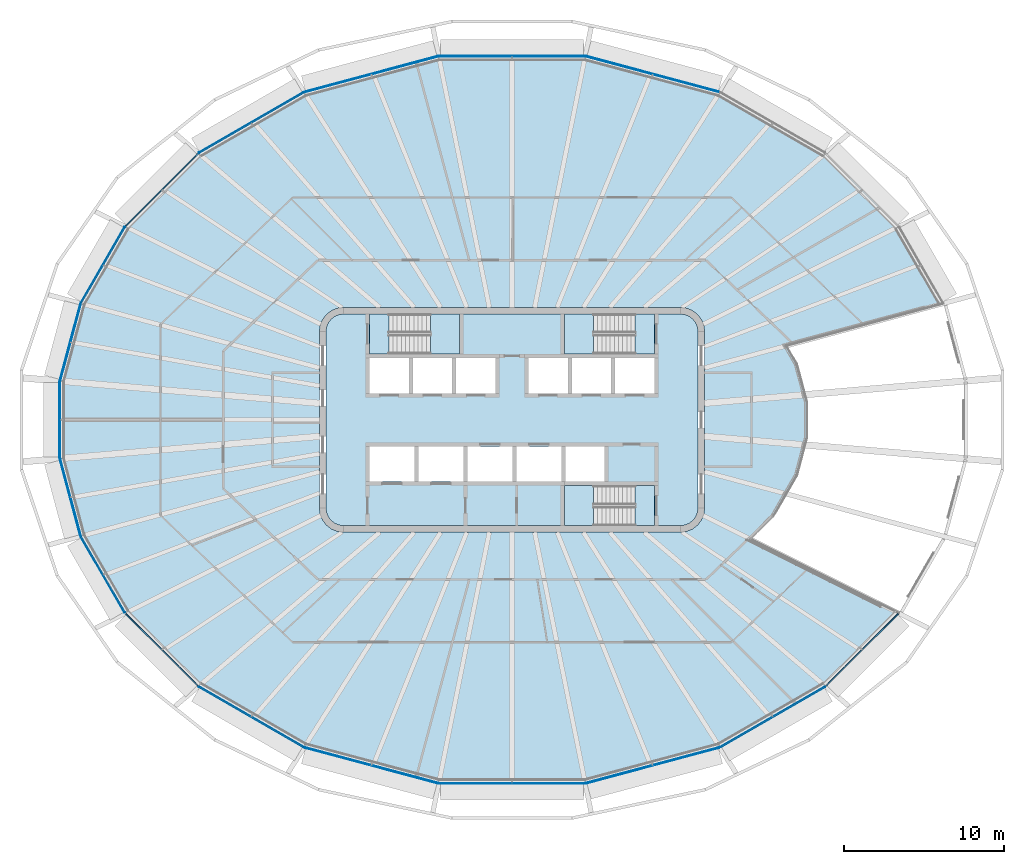
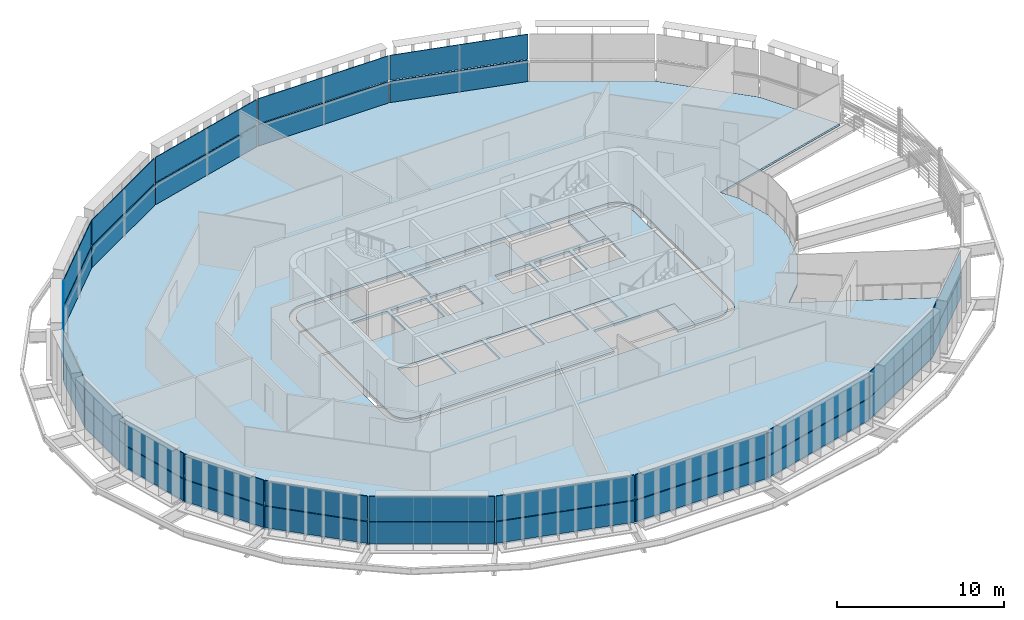
# One storey, part 7 of 17: 34 plates, 8 slabs, 20 elements without a shape of their own.
"""IFC4 building model written with IfcOpenShell, lengths in metres."""

import ifcopenshell
import ifcopenshell.guid

model = None  # the IFC model being written
_history = None  # IfcOwnerHistory: only IFC2X3 demands one
_inside = {}  # id of a spatial element -> (the spatial element, [elements in it])
_under = {}  # id of a project, library or spatial element -> (it, [spatial elements below it])
_declared = {}  # id of a project -> (the project, [libraries it declares])
_typed = {}  # id of a type object -> (the type object, [elements of that type])
_made_of = {}  # id of a material, layer set ... -> (it, [elements and type objects made of it])


def new_model(schema):
    """Start an empty IFC model of exactly this schema.

    Asked for "IFC4X3", IfcOpenShell would pick the latest addendum, in which some entities
    have other attributes; the version numbers below select the first issue.
    IFC2X3 requires an IfcOwnerHistory on every rooted entity: one is made here for all.
    """
    global model, _history
    if schema == "IFC4X3":
        model = ifcopenshell.file(schema_version=(4, 3, 0, 0))
    else:
        model = ifcopenshell.file(schema=schema)
    _inside.clear()
    _under.clear()
    _declared.clear()
    _typed.clear()
    _made_of.clear()
    _history = None
    if model.schema == "IFC2X3":
        org = make("IfcOrganization", Name="unknown")
        user = make(
            "IfcPersonAndOrganization",
            ThePerson=make("IfcPerson", FamilyName="unknown"),
            TheOrganization=org,
        )
        app = make(
            "IfcApplication",
            ApplicationDeveloper=org,
            Version="unknown",
            ApplicationFullName="unknown",
            ApplicationIdentifier="unknown",
        )
        _history = make(
            "IfcOwnerHistory",
            OwningUser=user,
            OwningApplication=app,
            ChangeAction="ADDED",
            CreationDate=0,
        )
    return model


def make(cls, **values):
    """One entity of the class cls with the attributes given. An attribute that is None is left unset."""
    return model.create_entity(
        cls, **{name: value for name, value in values.items() if value is not None}
    )


def rooted(cls, **values):
    """An entity with a GlobalId (a new one), such as an element, a storey or a relation."""
    return make(cls, GlobalId=ifcopenshell.guid.new(), OwnerHistory=_history, **values)


def si_unit(unit_type, name, prefix=None):
    """IfcSIUnit, for example si_unit("LENGTHUNIT", "METRE", prefix="MILLI")."""
    return make("IfcSIUnit", UnitType=unit_type, Prefix=prefix, Name=name)


def assignment(units):
    """IfcUnitAssignment: the units of a project."""
    return None if units is None else make("IfcUnitAssignment", Units=units)


def point(xyz):
    """IfcCartesianPoint."""
    return None if xyz is None else make("IfcCartesianPoint", Coordinates=xyz)


def direction(xyz):
    """IfcDirection."""
    return None if xyz is None else make("IfcDirection", DirectionRatios=xyz)


def frame(location, z_axis=None, x_axis=None):
    """IfcAxis2Placement3D, a coordinate frame: its origin and axes. An axis left out is left unset."""
    return make(
        "IfcAxis2Placement3D",
        Location=point(location),
        Axis=direction(z_axis),
        RefDirection=direction(x_axis),
    )


def origin():
    """The frame at (0, 0, 0) with its axes left unset."""
    return frame((0.0, 0.0, 0.0))


def place(relative_to, where):
    """IfcLocalPlacement: puts the frame where relative to a parent placement (None: the world)."""
    return make(
        "IfcLocalPlacement", PlacementRelTo=relative_to, RelativePlacement=where
    )


def context(
    kind, dimensions, precision=None, world=None, true_north=None, identifier=None
):
    """IfcGeometricRepresentationContext, for example the 3D "Model" context."""
    return make(
        "IfcGeometricRepresentationContext",
        ContextIdentifier=identifier,
        ContextType=kind,
        CoordinateSpaceDimension=dimensions,
        Precision=precision,
        WorldCoordinateSystem=world,
        TrueNorth=true_north,
    )


def subcontext(parent, identifier, kind, view, scale=None):
    """IfcGeometricRepresentationSubContext, for example "Body" below "Model"."""
    return make(
        "IfcGeometricRepresentationSubContext",
        ContextIdentifier=identifier,
        ContextType=kind,
        ParentContext=parent,
        TargetScale=scale,
        TargetView=view,
    )


def project(units=None, contexts=None):
    """IfcProject with its units and contexts."""
    return rooted(
        "IfcProject",
        Name="project",
        RepresentationContexts=contexts,
        UnitsInContext=assignment(units),
    )


def spatial(cls, under=None, at=None, **own):
    """A site, building, storey or space (cls), placed at a placement, below another one or the project."""
    s = rooted(cls, ObjectPlacement=at, **own)
    if under is not None:
        _under.setdefault(under.id(), (under, []))[1].append(s)
    return s


def polyline(points):
    """IfcPolyline through the points."""
    return make("IfcPolyline", Points=[point(p) for p in points])


def outline(outer, holes=None, kind="AREA"):
    """IfcArbitraryClosedProfileDef: a profile drawn as a closed curve; with holes, ...WithVoids."""
    if holes is None:
        return make("IfcArbitraryClosedProfileDef", ProfileType=kind, OuterCurve=outer)
    return make(
        "IfcArbitraryProfileDefWithVoids",
        ProfileType=kind,
        OuterCurve=outer,
        InnerCurves=holes,
    )


def extrude(swept, where, along, depth):
    """IfcExtrudedAreaSolid: the profile swept, set in the frame where, extruded along a direction by depth."""
    return make(
        "IfcExtrudedAreaSolid",
        SweptArea=swept,
        Position=where,
        ExtrudedDirection=direction(along),
        Depth=depth,
    )


def shape(context_of_items, identifier, shape_type, items):
    """IfcShapeRepresentation: the items that make up one representation, for example the "Body"."""
    return make(
        "IfcShapeRepresentation",
        ContextOfItems=context_of_items,
        RepresentationIdentifier=identifier,
        RepresentationType=shape_type,
        Items=items,
    )


def material(Name=None, Category=None):
    """IfcMaterial."""
    return make("IfcMaterial", Name=Name, Category=Category)


def layer(
    of_material, thickness, ventilated=None, Name=None, Category=None, Priority=None
):
    """IfcMaterialLayer: one layer of a wall or slab, of a material (None: an air gap)."""
    return make(
        "IfcMaterialLayer",
        Material=of_material,
        LayerThickness=thickness,
        IsVentilated=ventilated,
        Name=Name,
        Category=Category,
        Priority=Priority,
    )


def layer_set(layers, Name=None):
    """IfcMaterialLayerSet."""
    return make("IfcMaterialLayerSet", MaterialLayers=layers, LayerSetName=Name)


def made_of(thing, what):
    """Note that an element or type object is made of a material, layer set ...; save() writes the relation."""
    if what is not None:
        _made_of.setdefault(what.id(), (what, []))[1].append(thing)
    return thing


def type_object(cls, material=None, **own):
    """A type object (cls), such as IfcWallType, which elements share."""
    return made_of(rooted(cls, **own), material)


def element(
    cls,
    number,
    at=None,
    inside=None,
    cuts=None,
    type_object=None,
    material=None,
    context=None,
    identifier="Body",
    shape_type=None,
    held_by="IfcProductDefinitionShape",
    body=None,
    shapes=None,
    **own,
):
    """One element of the class cls, such as IfcWall. Its Tag is "e" and its number.

    at: its placement. inside: the storey or other place that contains it. cuts: it is an
    opening in that element (IfcRelVoidsElement). A single representation is given by context,
    identifier, shape_type and body (its items); several are given by shapes. held_by: the class
    of the entity that holds the representations. save() writes the other relations.
    """
    e = rooted(cls, Tag="e%d" % number, ObjectPlacement=at, **own)
    if body is not None:
        shapes = [shape(context, identifier, shape_type, body)]
    if shapes is not None:
        e.Representation = make(held_by, Representations=shapes)
    if inside is not None:
        _inside.setdefault(inside.id(), (inside, []))[1].append(e)
    if cuts is not None:
        rooted(
            "IfcRelVoidsElement", RelatingBuildingElement=cuts, RelatedOpeningElement=e
        )
    if type_object is not None:
        _typed.setdefault(type_object.id(), (type_object, []))[1].append(e)
    return made_of(e, material)


def aggregate(whole, parts):
    """IfcRelAggregates: a whole, such as a stair, and the parts it consists of."""
    return rooted("IfcRelAggregates", RelatingObject=whole, RelatedObjects=parts)


def save(model, path):
    """Write the relations noted so far, then the file.

    IfcRelAggregates (storeys below a building ...), IfcRelContainedInSpatialStructure (elements
    in a storey), IfcRelDefinesByType, IfcRelAssociatesMaterial and IfcRelDeclares: one each for
    every whole, place, type object, material and project.
    """
    for whole, parts in _under.values():
        aggregate(whole, parts)
    for where, things in _inside.values():
        rooted(
            "IfcRelContainedInSpatialStructure",
            RelatedElements=things,
            RelatingStructure=where,
        )
    for kind, things in _typed.values():
        rooted("IfcRelDefinesByType", RelatedObjects=things, RelatingType=kind)
    for what, things in _made_of.values():
        rooted("IfcRelAssociatesMaterial", RelatedObjects=things, RelatingMaterial=what)
    for by, libraries in _declared.values():
        rooted("IfcRelDeclares", RelatingContext=by, RelatedDefinitions=libraries)
    model.write(path)


model = new_model("IFC4")

# Units and contexts
model_context = context("Model", 3, precision=1e-05, world=origin(), true_north=direction((0.0, 1.0)))
body_context = subcontext(model_context, "Body", "Model", "MODEL_VIEW")
ifc_project = project(units=[si_unit("LENGTHUNIT", "METRE"), si_unit("AREAUNIT", "SQUARE_METRE"), si_unit("VOLUMEUNIT", "CUBIC_METRE"), si_unit("PLANEANGLEUNIT", "RADIAN"), si_unit("MASSUNIT", "GRAM", prefix="KILO")], contexts=[model_context])

# Site, building, storey
site_placement = place(None, origin())
site = spatial("IfcSite", under=ifc_project, at=site_placement, CompositionType="ELEMENT")
building_placement = place(site_placement, origin())
building = spatial("IfcBuilding", under=site, at=building_placement, Name="Sahrelin Media Tower", CompositionType="ELEMENT")
storey_placement = place(building_placement, frame((0.0, 0.0, 291.0)))
storey = spatial("IfcBuildingStorey", under=building, at=storey_placement, Name="L64", CompositionType="ELEMENT", Elevation=291.0)

# Slabs
ifc_material_1 = material(Name="Concrete C40/50", Category="concrete")
ifc_layer_1 = layer(ifc_material_1, 0.14990234375)
ifc_layer_set_1 = layer_set([ifc_layer_1], Name="Composite floor slab 150")
slab_type_1 = type_object("IfcSlabType", Name="Composite floor slab 150", PredefinedType="FLOOR", material=ifc_layer_set_1)
placement_1 = place(storey_placement, frame((0.0, 0.0, -0.14990234375)))
element("IfcSlab", 1, at=placement_1, inside=storey, type_object=slab_type_1, Name="Floor slab L64", PredefinedType="FLOOR", context=body_context, shape_type="SweptSolid", body=[
    extrude(outline(polyline([(19.53662109375, -16.603515625), (24.0908203125, -12.04931640625), (14.871337890625, -7.43798828125), (16.267822265625, -6.04150390625), (17.751708984375, -3.4716796875), (18.380126953125, -1.1259765625), (18.380126953125, 1.1259765625), (17.751708984375, 3.4716796875), (17.093017578125, 4.6123046875), (26.86376953125, 7.248779296875), (24.09375, 12.04638671875), (19.53662109375, 16.603515625), (12.9501953125, 20.40625), (4.56640625, 22.652587890625), (-4.56640625, 22.652587890625), (-12.9501953125, 20.40625), (-19.53662109375, 16.603515625), (-24.09375, 12.04638671875), (-26.864990234375, 7.24658203125), (-28.16015625, 2.41357421875), (-28.16015625, -2.41357421875), (-26.864990234375, -7.24658203125), (-24.09375, -12.04638671875), (-19.53662109375, -16.603515625), (-12.9501953125, -20.40625), (-4.56640625, -22.652587890625), (4.56640625, -22.652587890625), (12.9501953125, -20.40625), (19.53662109375, -16.603515625)]), holes=[polyline([(11.799072265625, 6.25), (11.948974609375, 5.88818359375), (12.0, 5.5), (12.0, -5.5), (11.948974609375, -5.88818359375), (11.799072265625, -6.25), (11.560791015625, -6.560791015625), (11.25, -6.799072265625), (10.88818359375, -6.948974609375), (10.5, -7.0), (-10.5, -7.0), (-10.88818359375, -6.948974609375), (-11.25, -6.799072265625), (-11.560791015625, -6.560791015625), (-11.799072265625, -6.25), (-11.948974609375, -5.88818359375), (-12.0, -5.5), (-12.0, 5.5), (-11.948974609375, 5.88818359375), (-11.799072265625, 6.25), (-11.560791015625, 6.560791015625), (-11.25, 6.799072265625), (-10.88818359375, 6.948974609375), (-10.5, 7.0), (10.5, 7.0), (10.88818359375, 6.948974609375), (11.25, 6.799072265625), (11.560791015625, 6.560791015625), (11.799072265625, 6.25)])]), origin(), (0.0, 0.0, 1.0), 0.14990234375),
])
ifc_layer_2 = layer(ifc_material_1, 0.14990234375)
ifc_layer_set_2 = layer_set([ifc_layer_2], Name="Core floor slab 150")
slab_type_2 = type_object("IfcSlabType", Name="Core floor slab 150", PredefinedType="FLOOR", material=ifc_layer_set_2)
element("IfcSlab", 2, at=placement_1, inside=storey, type_object=slab_type_2, Name="Core floor", PredefinedType="FLOOR", context=body_context, shape_type="SweptSolid", body=[
    extrude(outline(polyline([(-11.60009765625, -5.473876953125), (-11.55908203125, -5.78369140625), (-11.44970703125, -6.04833984375), (-11.275390625, -6.275390625), (-11.04833984375, -6.44970703125), (-10.78369140625, -6.55908203125), (-10.473876953125, -6.60009765625), (3.27490234375, -6.60009765625), (3.27490234375, -4.10009765625), (8.875, -4.10009765625), (8.875, -6.60009765625), (10.473876953125, -6.60009765625), (10.78369140625, -6.55908203125), (11.04833984375, -6.44970703125), (11.275390625, -6.275390625), (11.44970703125, -6.04833984375), (11.55908203125, -5.78369140625), (11.60009765625, -5.473876953125), (11.60009765625, 5.473876953125), (11.55908203125, 5.78369140625), (11.44970703125, 6.04833984375), (11.275390625, 6.275390625), (11.04833984375, 6.44970703125), (10.78369140625, 6.55908203125), (10.473876953125, 6.60009765625), (8.875, 6.60009765625), (8.875, 4.10009765625), (3.27490234375, 4.10009765625), (3.27490234375, 6.60009765625), (-3.27490234375, 6.60009765625), (-3.27490234375, 4.10009765625), (-8.875, 4.10009765625), (-8.875, 6.60009765625), (-10.473876953125, 6.60009765625), (-10.78369140625, 6.55908203125), (-11.04833984375, 6.44970703125), (-11.275390625, 6.275390625), (-11.44970703125, 6.04833984375), (-11.55908203125, 5.78369140625), (-11.60009765625, 5.473876953125), (-11.60009765625, -5.473876953125)]), holes=[polyline([(-8.875, 3.85009765625), (-8.875, 1.64990234375), (-6.425048828125, 1.64990234375), (-6.425048828125, 3.85009765625), (-8.875, 3.85009765625)]), polyline([(-3.72509765625, 3.85009765625), (-6.175048828125, 3.85009765625), (-6.175048828125, 1.64990234375), (-3.72509765625, 1.64990234375), (-3.72509765625, 3.85009765625)]), polyline([(-1.02490234375, 1.64990234375), (-1.02490234375, 3.85009765625), (-3.47509765625, 3.85009765625), (-3.47509765625, 1.64990234375), (-1.02490234375, 1.64990234375)]), polyline([(1.02490234375, 1.64990234375), (3.47509765625, 1.64990234375), (3.47509765625, 3.85009765625), (1.02490234375, 3.85009765625), (1.02490234375, 1.64990234375)]), polyline([(3.72509765625, 3.85009765625), (3.72509765625, 1.64990234375), (6.175048828125, 1.64990234375), (6.175048828125, 3.85009765625), (3.72509765625, 3.85009765625)]), polyline([(8.875, 3.85009765625), (6.425048828125, 3.85009765625), (6.425048828125, 1.64990234375), (8.875, 1.64990234375), (8.875, 3.85009765625)]), polyline([(-6.074951171875, -3.85009765625), (-6.074951171875, -1.64990234375), (-8.875, -1.64990234375), (-8.875, -3.85009765625), (-6.074951171875, -3.85009765625)]), polyline([(-5.824951171875, -3.85009765625), (-3.02490234375, -3.85009765625), (-3.02490234375, -1.64990234375), (-5.824951171875, -1.64990234375), (-5.824951171875, -3.85009765625)]), polyline([(-2.77490234375, -1.64990234375), (-2.77490234375, -3.85009765625), (0.02490234375, -3.85009765625), (0.02490234375, -1.64990234375), (-2.77490234375, -1.64990234375)]), polyline([(3.074951171875, -1.64990234375), (0.27490234375, -1.64990234375), (0.27490234375, -3.85009765625), (3.074951171875, -3.85009765625), (3.074951171875, -1.64990234375)]), polyline([(5.77490234375, -3.85009765625), (5.77490234375, -1.64990234375), (3.324951171875, -1.64990234375), (3.324951171875, -3.85009765625), (5.77490234375, -3.85009765625)])]), origin(), (0.0, 0.0, 1.0), 0.14990234375),
])

# Curtain wall, plate
ifc_material_2 = material(Name="Champagne anodised aluminium 6063-T6", Category="aluminium")
ifc_layer_3 = layer(ifc_material_2, 0.14990234375)
ifc_layer_set_3 = layer_set([ifc_layer_3], Name="Tower ribbon curtain wall")
curtain_wall_type = type_object("IfcCurtainWallType", Name="Tower ribbon curtain wall", PredefinedType="NOTDEFINED", material=ifc_layer_set_3)
curtain_wall_1_placement = place(storey_placement, frame((8.763671875, 21.548828125, 0.0), z_axis=(0.0, 0.0, 1.0), x_axis=(1.0, 0.0, 0.0)))
curtain_wall_1 = element("IfcCurtainWall", 3, at=curtain_wall_1_placement, inside=storey, type_object=curtain_wall_type, Name="L64:CW:L64-05", PredefinedType="NOTDEFINED")
ifc_material_3 = material(Name="Clear low-iron glazing", Category="glass")
ifc_layer_4 = layer(ifc_material_3, 0.048095703125)
ifc_layer_set_4 = layer_set([ifc_layer_4], Name="Glazing panel 48 mm CW1C")
plate_type_1 = type_object("IfcPlateType", Name="Glazing panel 48 mm CW1C", PredefinedType="CURTAIN_PANEL", material=ifc_layer_set_4)
plate_1_placement = place(storey_placement, frame((12.914794921875, 20.457275390625, 1.6298828125), z_axis=(0.258821849168, 0.965925074938, 0.0), x_axis=(-0.965925074938, 0.258821849168, 0.0)))
plate_1 = element("IfcPlate", 4, at=plate_1_placement, type_object=plate_type_1, Name="L64:CWP2:L64-05", PredefinedType="CURTAIN_PANEL", context=body_context, shape_type="SweptSolid", body=[
    extrude(outline(polyline([(0.0, 0.0), (8.584716796875, 0.0), (8.584716796875, 1.818603515625), (0.0, 1.818603515625), (0.0, 0.0)])), origin(), (0.0, 0.0, -1.0), 0.048095703125),
])

curtain_wall_2_placement = place(storey_placement, frame((0.0, 22.672607421875, 0.0), z_axis=(0.0, 0.0, 1.0), x_axis=(1.0, 0.0, 0.0)))
curtain_wall_2 = element("IfcCurtainWall", 5, at=curtain_wall_2_placement, inside=storey, type_object=curtain_wall_type, Name="L64:CW:L64-06", PredefinedType="NOTDEFINED")
plate_2_placement = place(storey_placement, frame((4.51904296875, 22.692626953125, 1.6298828125), z_axis=(0.0, 1.0, 0.0), x_axis=(-1.0, 0.0, 0.0)))
plate_2 = element("IfcPlate", 6, at=plate_2_placement, type_object=plate_type_1, Name="L64:CWP2:L64-06", PredefinedType="CURTAIN_PANEL", context=body_context, shape_type="SweptSolid", body=[
    extrude(outline(polyline([(0.0, 0.0), (9.0380859375, 0.0), (9.0380859375, 1.818603515625), (0.0, 1.818603515625), (0.0, 0.0)])), origin(), (0.0, 0.0, -1.0), 0.048095703125),
])

curtain_wall_3_placement = place(storey_placement, frame((-8.763427734375, 21.548828125, 0.0), z_axis=(0.0, 0.0, 1.0), x_axis=(1.0, 0.0, 0.0)))
curtain_wall_3 = element("IfcCurtainWall", 7, at=curtain_wall_3_placement, inside=storey, type_object=curtain_wall_type, Name="L64:CW:L64-07", PredefinedType="NOTDEFINED")
plate_3_placement = place(storey_placement, frame((-4.62255859375, 22.67919921875, 1.6298828125), z_axis=(-0.258821849168, 0.965925074938, 0.0), x_axis=(-0.965925074938, -0.258821849168, 0.0)))
plate_3 = element("IfcPlate", 8, at=plate_3_placement, type_object=plate_type_1, Name="L64:CWP2:L64-07", PredefinedType="CURTAIN_PANEL", context=body_context, shape_type="SweptSolid", body=[
    extrude(outline(polyline([(0.0, 0.0), (8.584716796875, 0.0), (8.584716796875, 1.818603515625), (0.0, 1.818603515625), (0.0, 0.0)])), origin(), (0.0, 0.0, -1.0), 0.048095703125),
])

curtain_wall_4_placement = place(storey_placement, frame((-16.25341796875, 18.522216796875, 0.0), z_axis=(0.0, 0.0, 1.0), x_axis=(1.0, 0.0, 0.0)))
curtain_wall_4 = element("IfcCurtainWall", 9, at=curtain_wall_4_placement, inside=storey, type_object=curtain_wall_type, Name="L64:CW:L64-08", PredefinedType="NOTDEFINED")
plate_4_placement = place(storey_placement, frame((-13.01123046875, 20.417236328125, 1.6298828125), z_axis=(-0.500005707901, 0.866022108301, 0.0), x_axis=(-0.866022108301, -0.500005707901, 0.0)))
plate_4 = element("IfcPlate", 10, at=plate_4_placement, type_object=plate_type_1, Name="L64:CWP2:L64-08", PredefinedType="CURTAIN_PANEL", context=body_context, shape_type="SweptSolid", body=[
    extrude(outline(polyline([(0.0, 0.0), (7.5107421875, 0.0), (7.5107421875, 1.818603515625), (0.0, 1.818603515625), (0.0, 0.0)])), origin(), (0.0, 0.0, -1.0), 0.048095703125),
])

curtain_wall_5_placement = place(storey_placement, frame((-21.829345703125, 14.339111328125, 0.0), z_axis=(0.0, 0.0, 1.0), x_axis=(1.0, 0.0, 0.0)))
curtain_wall_5 = element("IfcCurtainWall", 11, at=curtain_wall_5_placement, inside=storey, type_object=curtain_wall_type, Name="L64:CW:L64-09", PredefinedType="NOTDEFINED")
plate_5_placement = place(storey_placement, frame((-19.598388671875, 16.598388671875, 1.6298828125), z_axis=(-0.707087557187, 0.707126004664, 0.0), x_axis=(-0.707126004664, -0.707087557187, 0.0)))
plate_5 = element("IfcPlate", 12, at=plate_5_placement, type_object=plate_type_1, Name="L64:CWP2:L64-09", PredefinedType="CURTAIN_PANEL", context=body_context, shape_type="SweptSolid", body=[
    extrude(outline(polyline([(0.0, 0.0), (6.35009765625, 0.0), (6.35009765625, 1.818603515625), (0.0, 1.818603515625), (0.0, 0.0)])), origin(), (0.0, 0.0, -1.0), 0.048095703125),
])

curtain_wall_6_placement = place(storey_placement, frame((-25.49658203125, 9.656494140625, 0.0), z_axis=(0.0, 0.0, 1.0), x_axis=(1.0, 0.0, 0.0)))
curtain_wall_6 = element("IfcCurtainWall", 13, at=curtain_wall_6_placement, inside=storey, type_object=curtain_wall_type, Name="L64:CW:L64-10", PredefinedType="NOTDEFINED")
plate_6_placement = place(storey_placement, frame((-24.152099609375, 12.025390625, 1.6298828125), z_axis=(-0.866019904165, 0.5000095255, 0.0), x_axis=(-0.5000095255, -0.866019904165, 0.0)))
plate_6 = element("IfcPlate", 14, at=plate_6_placement, type_object=plate_type_1, Name="L64:CWP2:L64-10", PredefinedType="CURTAIN_PANEL", context=body_context, shape_type="SweptSolid", body=[
    extrude(outline(polyline([(0.0, 0.0), (5.44775390625, 0.0), (5.44775390625, 1.818603515625), (0.0, 1.818603515625), (0.0, 0.0)])), origin(), (0.0, 0.0, -1.0), 0.048095703125),
])

curtain_wall_7_placement = place(storey_placement, frame((-27.531982421875, 4.835205078125, 0.0), z_axis=(0.0, 0.0, 1.0), x_axis=(1.0, 0.0, 0.0)))
curtain_wall_7 = element("IfcCurtainWall", 15, at=curtain_wall_7_placement, inside=storey, type_object=curtain_wall_type, Name="L64:CW:L64-11", PredefinedType="NOTDEFINED")
plate_7_placement = place(storey_placement, frame((-26.916015625, 7.211181640625, 1.6298828125), z_axis=(-0.965923852563, 0.258826411036, 0.0), x_axis=(-0.258826411036, -0.965923852563, 0.0)))
plate_7 = element("IfcPlate", 16, at=plate_7_placement, type_object=plate_type_1, Name="L64:CWP2:L64-11", PredefinedType="CURTAIN_PANEL", context=body_context, shape_type="SweptSolid", body=[
    extrude(outline(polyline([(0.0, 0.0), (4.90869140625, 0.0), (4.90869140625, 1.818603515625), (0.0, 1.818603515625), (0.0, 0.0)])), origin(), (0.0, 0.0, -1.0), 0.048095703125),
])

curtain_wall_8_placement = place(storey_placement, frame((-28.18017578125, 0.0, 0.0), z_axis=(0.0, 0.0, 1.0), x_axis=(1.0, 0.0, 0.0)))
curtain_wall_8 = element("IfcCurtainWall", 17, at=curtain_wall_8_placement, inside=storey, type_object=curtain_wall_type, Name="L64:CW:L64-12", PredefinedType="NOTDEFINED")
plate_8_placement = place(storey_placement, frame((-28.2001953125, 2.3662109375, 1.6298828125), z_axis=(-1.0, 0.0, 0.0), x_axis=(0.0, -1.0, 0.0)))
plate_8 = element("IfcPlate", 18, at=plate_8_placement, type_object=plate_type_1, Name="L64:CWP2:L64-12", PredefinedType="CURTAIN_PANEL", context=body_context, shape_type="SweptSolid", body=[
    extrude(outline(polyline([(0.0, 0.0), (4.732421875, 0.0), (4.732421875, 1.818603515625), (0.0, 1.818603515625), (0.0, 0.0)])), origin(), (0.0, 0.0, -1.0), 0.048095703125),
])

curtain_wall_9_placement = place(storey_placement, frame((-27.531982421875, -4.835205078125, 0.0), z_axis=(0.0, 0.0, 1.0), x_axis=(1.0, 0.0, 0.0)))
curtain_wall_9 = element("IfcCurtainWall", 19, at=curtain_wall_9_placement, inside=storey, type_object=curtain_wall_type, Name="L64:CW:L64-13", PredefinedType="NOTDEFINED")
plate_9_placement = place(storey_placement, frame((-28.1865234375, -2.4697265625, 1.6298828125), z_axis=(-0.965923852563, -0.258826411036, 0.0), x_axis=(0.258826411036, -0.965923852563, 0.0)))
plate_9 = element("IfcPlate", 20, at=plate_9_placement, type_object=plate_type_1, Name="L64:CWP2:L64-13", PredefinedType="CURTAIN_PANEL", context=body_context, shape_type="SweptSolid", body=[
    extrude(outline(polyline([(0.0, 0.0), (4.90869140625, 0.0), (4.90869140625, 1.818603515625), (0.0, 1.818603515625), (0.0, 0.0)])), origin(), (0.0, 0.0, -1.0), 0.048095703125),
])

curtain_wall_10_placement = place(storey_placement, frame((-25.496826171875, -9.656494140625, 0.0), z_axis=(0.0, 0.0, 1.0), x_axis=(1.0, 0.0, 0.0)))
curtain_wall_10 = element("IfcCurtainWall", 21, at=curtain_wall_10_placement, inside=storey, type_object=curtain_wall_type, Name="L64:CW:L64-14", PredefinedType="NOTDEFINED")
plate_10_placement = place(storey_placement, frame((-26.8759765625, -7.3076171875, 1.6298828125), z_axis=(-0.866019904165, -0.5000095255, 0.0), x_axis=(0.5000095255, -0.866019904165, 0.0)))
plate_10 = element("IfcPlate", 22, at=plate_10_placement, type_object=plate_type_1, Name="L64:CWP2:L64-14", PredefinedType="CURTAIN_PANEL", context=body_context, shape_type="SweptSolid", body=[
    extrude(outline(polyline([(0.0, 0.0), (5.44775390625, 0.0), (5.44775390625, 1.818603515625), (0.0, 1.818603515625), (0.0, 0.0)])), origin(), (0.0, 0.0, -1.0), 0.048095703125),
])

curtain_wall_11_placement = place(storey_placement, frame((-21.829345703125, -14.339111328125, 0.0), z_axis=(0.0, 0.0, 1.0), x_axis=(1.0, 0.0, 0.0)))
curtain_wall_11 = element("IfcCurtainWall", 23, at=curtain_wall_11_placement, inside=storey, type_object=curtain_wall_type, Name="L64:CW:L64-15", PredefinedType="NOTDEFINED")
plate_11_placement = place(storey_placement, frame((-24.088623046875, -12.1083984375, 1.6298828125), z_axis=(-0.707087557187, -0.707126004664, 0.0), x_axis=(0.707126004664, -0.707087557187, 0.0)))
plate_11 = element("IfcPlate", 24, at=plate_11_placement, type_object=plate_type_1, Name="L64:CWP2:L64-15", PredefinedType="CURTAIN_PANEL", context=body_context, shape_type="SweptSolid", body=[
    extrude(outline(polyline([(0.0, 0.0), (6.35009765625, 0.0), (6.35009765625, 1.818603515625), (0.0, 1.818603515625), (0.0, 0.0)])), origin(), (0.0, 0.0, -1.0), 0.048095703125),
])

curtain_wall_12_placement = place(storey_placement, frame((-16.25341796875, -18.522216796875, 0.0), z_axis=(0.0, 0.0, 1.0), x_axis=(1.0, 0.0, 0.0)))
curtain_wall_12 = element("IfcCurtainWall", 25, at=curtain_wall_12_placement, inside=storey, type_object=curtain_wall_type, Name="L64:CW:L64-16", PredefinedType="NOTDEFINED")
plate_12_placement = place(storey_placement, frame((-19.515625, -16.661865234375, 1.6298828125), z_axis=(-0.500005707901, -0.866022108301, 0.0), x_axis=(0.866022108301, -0.500005707901, 0.0)))
plate_12 = element("IfcPlate", 26, at=plate_12_placement, type_object=plate_type_1, Name="L64:CWP2:L64-16", PredefinedType="CURTAIN_PANEL", context=body_context, shape_type="SweptSolid", body=[
    extrude(outline(polyline([(0.0, 0.0), (7.5107421875, 0.0), (7.5107421875, 1.818603515625), (0.0, 1.818603515625), (0.0, 0.0)])), origin(), (0.0, 0.0, -1.0), 0.048095703125),
])

curtain_wall_13_placement = place(storey_placement, frame((-8.763671875, -21.548828125, 0.0), z_axis=(0.0, 0.0, 1.0), x_axis=(1.0, 0.0, 0.0)))
curtain_wall_13 = element("IfcCurtainWall", 27, at=curtain_wall_13_placement, inside=storey, type_object=curtain_wall_type, Name="L64:CW:L64-17", PredefinedType="NOTDEFINED")
plate_13_placement = place(storey_placement, frame((-12.914794921875, -20.457275390625, 1.6298828125), z_axis=(-0.258821849168, -0.965925074938, 0.0), x_axis=(0.965925074938, -0.258821849168, 0.0)))
plate_13 = element("IfcPlate", 28, at=plate_13_placement, type_object=plate_type_1, Name="L64:CWP2:L64-17", PredefinedType="CURTAIN_PANEL", context=body_context, shape_type="SweptSolid", body=[
    extrude(outline(polyline([(0.0, 0.0), (8.584716796875, 0.0), (8.584716796875, 1.818603515625), (0.0, 1.818603515625), (0.0, 0.0)])), origin(), (0.0, 0.0, -1.0), 0.048095703125),
])

curtain_wall_14_placement = place(storey_placement, frame((0.0, -22.672607421875, 0.0), z_axis=(0.0, 0.0, 1.0), x_axis=(1.0, 0.0, 0.0)))
curtain_wall_14 = element("IfcCurtainWall", 29, at=curtain_wall_14_placement, inside=storey, type_object=curtain_wall_type, Name="L64:CW:L64-18", PredefinedType="NOTDEFINED")
plate_14_placement = place(storey_placement, frame((-4.51904296875, -22.692626953125, 1.6298828125), z_axis=(0.0, -1.0, 0.0), x_axis=(1.0, 0.0, 0.0)))
plate_14 = element("IfcPlate", 30, at=plate_14_placement, type_object=plate_type_1, Name="L64:CWP2:L64-18", PredefinedType="CURTAIN_PANEL", context=body_context, shape_type="SweptSolid", body=[
    extrude(outline(polyline([(0.0, 0.0), (9.0380859375, 0.0), (9.0380859375, 1.818603515625), (0.0, 1.818603515625), (0.0, 0.0)])), origin(), (0.0, 0.0, -1.0), 0.048095703125),
])

curtain_wall_15_placement = place(storey_placement, frame((8.763427734375, -21.548828125, 0.0), z_axis=(0.0, 0.0, 1.0), x_axis=(1.0, 0.0, 0.0)))
curtain_wall_15 = element("IfcCurtainWall", 31, at=curtain_wall_15_placement, inside=storey, type_object=curtain_wall_type, Name="L64:CW:L64-19", PredefinedType="NOTDEFINED")
plate_15_placement = place(storey_placement, frame((4.62255859375, -22.67919921875, 1.6298828125), z_axis=(0.258821849168, -0.965925074938, 0.0), x_axis=(0.965925074938, 0.258821849168, 0.0)))
plate_15 = element("IfcPlate", 32, at=plate_15_placement, type_object=plate_type_1, Name="L64:CWP2:L64-19", PredefinedType="CURTAIN_PANEL", context=body_context, shape_type="SweptSolid", body=[
    extrude(outline(polyline([(0.0, 0.0), (8.584716796875, 0.0), (8.584716796875, 1.818603515625), (0.0, 1.818603515625), (0.0, 0.0)])), origin(), (0.0, 0.0, -1.0), 0.048095703125),
])

curtain_wall_16_placement = place(storey_placement, frame((16.25341796875, -18.522216796875, 0.0), z_axis=(0.0, 0.0, 1.0), x_axis=(1.0, 0.0, 0.0)))
curtain_wall_16 = element("IfcCurtainWall", 33, at=curtain_wall_16_placement, inside=storey, type_object=curtain_wall_type, Name="L64:CW:L64-20", PredefinedType="NOTDEFINED")
plate_16_placement = place(storey_placement, frame((13.01123046875, -20.417236328125, 1.6298828125), z_axis=(0.500005707901, -0.866022108301, 0.0), x_axis=(0.866022108301, 0.500005707901, 0.0)))
plate_16 = element("IfcPlate", 34, at=plate_16_placement, type_object=plate_type_1, Name="L64:CWP2:L64-20", PredefinedType="CURTAIN_PANEL", context=body_context, shape_type="SweptSolid", body=[
    extrude(outline(polyline([(0.0, 0.0), (7.5107421875, 0.0), (7.5107421875, 1.818603515625), (0.0, 1.818603515625), (0.0, 0.0)])), origin(), (0.0, 0.0, -1.0), 0.048095703125),
])

curtain_wall_17_placement = place(storey_placement, frame((21.829345703125, -14.339111328125, 0.0), z_axis=(0.0, 0.0, 1.0), x_axis=(1.0, 0.0, 0.0)))
curtain_wall_17 = element("IfcCurtainWall", 35, at=curtain_wall_17_placement, inside=storey, type_object=curtain_wall_type, Name="L64:CW:L64-21", PredefinedType="NOTDEFINED")
plate_17_placement = place(storey_placement, frame((19.598388671875, -16.598388671875, 1.6298828125), z_axis=(0.707087557187, -0.707126004664, 0.0), x_axis=(0.707126004664, 0.707087557187, 0.0)))
plate_17 = element("IfcPlate", 36, at=plate_17_placement, type_object=plate_type_1, Name="L64:CWP2:L64-21", PredefinedType="CURTAIN_PANEL", context=body_context, shape_type="SweptSolid", body=[
    extrude(outline(polyline([(0.0, 0.0), (6.35009765625, 0.0), (6.35009765625, 1.818603515625), (0.0, 1.818603515625), (0.0, 0.0)])), origin(), (0.0, 0.0, -1.0), 0.048095703125),
])

# Plate
ifc_material_4 = material(Name="Insulated spandrel panel")
ifc_layer_5 = layer(ifc_material_4, 0.06005859375)
ifc_layer_set_5 = layer_set([ifc_layer_5], Name="Spandrel panel 60 mm CW1")
plate_type_2 = type_object("IfcPlateType", Name="Spandrel panel 60 mm CW1", PredefinedType="SHEET", material=ifc_layer_set_5)
plate_18_placement = place(storey_placement, frame((12.914794921875, 20.457275390625, 0.0), z_axis=(0.258821849168, 0.965925074938, 0.0), x_axis=(-0.965925074938, 0.258821849168, 0.0)))
plate_18 = element("IfcPlate", 37, at=plate_18_placement, type_object=plate_type_2, Name="L64:CWP1:L64-05", PredefinedType="SHEET", context=body_context, shape_type="SweptSolid", body=[
    extrude(outline(polyline([(0.0, 0.0), (8.584716796875, 0.0), (8.584716796875, 1.570068359375), (0.0, 1.570068359375), (0.0, 0.0)])), origin(), (0.0, 0.0, -1.0), 0.06005859375),
])

aggregate(curtain_wall_1, [plate_18, plate_1])

plate_19_placement = place(storey_placement, frame((4.51904296875, 22.692626953125, 0.0), z_axis=(0.0, 1.0, 0.0), x_axis=(-1.0, 0.0, 0.0)))
plate_19 = element("IfcPlate", 38, at=plate_19_placement, type_object=plate_type_2, Name="L64:CWP1:L64-06", PredefinedType="SHEET", context=body_context, shape_type="SweptSolid", body=[
    extrude(outline(polyline([(0.0, 0.0), (9.0380859375, 0.0), (9.0380859375, 1.570068359375), (0.0, 1.570068359375), (0.0, 0.0)])), origin(), (0.0, 0.0, -1.0), 0.06005859375),
])

aggregate(curtain_wall_2, [plate_19, plate_2])

plate_20_placement = place(storey_placement, frame((-4.62255859375, 22.67919921875, 0.0), z_axis=(-0.258821849168, 0.965925074938, 0.0), x_axis=(-0.965925074938, -0.258821849168, 0.0)))
plate_20 = element("IfcPlate", 39, at=plate_20_placement, type_object=plate_type_2, Name="L64:CWP1:L64-07", PredefinedType="SHEET", context=body_context, shape_type="SweptSolid", body=[
    extrude(outline(polyline([(0.0, 0.0), (8.584716796875, 0.0), (8.584716796875, 1.570068359375), (0.0, 1.570068359375), (0.0, 0.0)])), origin(), (0.0, 0.0, -1.0), 0.06005859375),
])

aggregate(curtain_wall_3, [plate_20, plate_3])

plate_21_placement = place(storey_placement, frame((-13.01123046875, 20.417236328125, 0.0), z_axis=(-0.500005707901, 0.866022108301, 0.0), x_axis=(-0.866022108301, -0.500005707901, 0.0)))
plate_21 = element("IfcPlate", 40, at=plate_21_placement, type_object=plate_type_2, Name="L64:CWP1:L64-08", PredefinedType="SHEET", context=body_context, shape_type="SweptSolid", body=[
    extrude(outline(polyline([(0.0, 0.0), (7.5107421875, 0.0), (7.5107421875, 1.570068359375), (0.0, 1.570068359375), (0.0, 0.0)])), origin(), (0.0, 0.0, -1.0), 0.06005859375),
])

aggregate(curtain_wall_4, [plate_21, plate_4])

plate_22_placement = place(storey_placement, frame((-19.598388671875, 16.598388671875, 0.0), z_axis=(-0.707087557187, 0.707126004664, 0.0), x_axis=(-0.707126004664, -0.707087557187, 0.0)))
plate_22 = element("IfcPlate", 41, at=plate_22_placement, type_object=plate_type_2, Name="L64:CWP1:L64-09", PredefinedType="SHEET", context=body_context, shape_type="SweptSolid", body=[
    extrude(outline(polyline([(0.0, 0.0), (6.35009765625, 0.0), (6.35009765625, 1.570068359375), (0.0, 1.570068359375), (0.0, 0.0)])), origin(), (0.0, 0.0, -1.0), 0.06005859375),
])

aggregate(curtain_wall_5, [plate_22, plate_5])

plate_23_placement = place(storey_placement, frame((-24.152099609375, 12.025390625, 0.0), z_axis=(-0.866019904165, 0.5000095255, 0.0), x_axis=(-0.5000095255, -0.866019904165, 0.0)))
plate_23 = element("IfcPlate", 42, at=plate_23_placement, type_object=plate_type_2, Name="L64:CWP1:L64-10", PredefinedType="SHEET", context=body_context, shape_type="SweptSolid", body=[
    extrude(outline(polyline([(0.0, 0.0), (5.44775390625, 0.0), (5.44775390625, 1.570068359375), (0.0, 1.570068359375), (0.0, 0.0)])), origin(), (0.0, 0.0, -1.0), 0.06005859375),
])

aggregate(curtain_wall_6, [plate_23, plate_6])

plate_24_placement = place(storey_placement, frame((-26.916015625, 7.211181640625, 0.0), z_axis=(-0.965923852563, 0.258826411036, 0.0), x_axis=(-0.258826411036, -0.965923852563, 0.0)))
plate_24 = element("IfcPlate", 43, at=plate_24_placement, type_object=plate_type_2, Name="L64:CWP1:L64-11", PredefinedType="SHEET", context=body_context, shape_type="SweptSolid", body=[
    extrude(outline(polyline([(0.0, 0.0), (4.90869140625, 0.0), (4.90869140625, 1.570068359375), (0.0, 1.570068359375), (0.0, 0.0)])), origin(), (0.0, 0.0, -1.0), 0.06005859375),
])

aggregate(curtain_wall_7, [plate_24, plate_7])

plate_25_placement = place(storey_placement, frame((-28.2001953125, 2.3662109375, 0.0), z_axis=(-1.0, 0.0, 0.0), x_axis=(0.0, -1.0, 0.0)))
plate_25 = element("IfcPlate", 44, at=plate_25_placement, type_object=plate_type_2, Name="L64:CWP1:L64-12", PredefinedType="SHEET", context=body_context, shape_type="SweptSolid", body=[
    extrude(outline(polyline([(0.0, 0.0), (4.732421875, 0.0), (4.732421875, 1.570068359375), (0.0, 1.570068359375), (0.0, 0.0)])), origin(), (0.0, 0.0, -1.0), 0.06005859375),
])

aggregate(curtain_wall_8, [plate_25, plate_8])

plate_26_placement = place(storey_placement, frame((-28.1865234375, -2.4697265625, 0.0), z_axis=(-0.965923852563, -0.258826411036, 0.0), x_axis=(0.258826411036, -0.965923852563, 0.0)))
plate_26 = element("IfcPlate", 45, at=plate_26_placement, type_object=plate_type_2, Name="L64:CWP1:L64-13", PredefinedType="SHEET", context=body_context, shape_type="SweptSolid", body=[
    extrude(outline(polyline([(0.0, 0.0), (4.90869140625, 0.0), (4.90869140625, 1.570068359375), (0.0, 1.570068359375), (0.0, 0.0)])), origin(), (0.0, 0.0, -1.0), 0.06005859375),
])

aggregate(curtain_wall_9, [plate_26, plate_9])

plate_27_placement = place(storey_placement, frame((-26.8759765625, -7.3076171875, 0.0), z_axis=(-0.866019904165, -0.5000095255, 0.0), x_axis=(0.5000095255, -0.866019904165, 0.0)))
plate_27 = element("IfcPlate", 46, at=plate_27_placement, type_object=plate_type_2, Name="L64:CWP1:L64-14", PredefinedType="SHEET", context=body_context, shape_type="SweptSolid", body=[
    extrude(outline(polyline([(0.0, 0.0), (5.44775390625, 0.0), (5.44775390625, 1.570068359375), (0.0, 1.570068359375), (0.0, 0.0)])), origin(), (0.0, 0.0, -1.0), 0.06005859375),
])

aggregate(curtain_wall_10, [plate_27, plate_10])

plate_28_placement = place(storey_placement, frame((-24.088623046875, -12.1083984375, 0.0), z_axis=(-0.707087557187, -0.707126004664, 0.0), x_axis=(0.707126004664, -0.707087557187, 0.0)))
plate_28 = element("IfcPlate", 47, at=plate_28_placement, type_object=plate_type_2, Name="L64:CWP1:L64-15", PredefinedType="SHEET", context=body_context, shape_type="SweptSolid", body=[
    extrude(outline(polyline([(0.0, 0.0), (6.35009765625, 0.0), (6.35009765625, 1.570068359375), (0.0, 1.570068359375), (0.0, 0.0)])), origin(), (0.0, 0.0, -1.0), 0.06005859375),
])

aggregate(curtain_wall_11, [plate_28, plate_11])

plate_29_placement = place(storey_placement, frame((-19.515625, -16.661865234375, 0.0), z_axis=(-0.500005707901, -0.866022108301, 0.0), x_axis=(0.866022108301, -0.500005707901, 0.0)))
plate_29 = element("IfcPlate", 48, at=plate_29_placement, type_object=plate_type_2, Name="L64:CWP1:L64-16", PredefinedType="SHEET", context=body_context, shape_type="SweptSolid", body=[
    extrude(outline(polyline([(0.0, 0.0), (7.5107421875, 0.0), (7.5107421875, 1.570068359375), (0.0, 1.570068359375), (0.0, 0.0)])), origin(), (0.0, 0.0, -1.0), 0.06005859375),
])

aggregate(curtain_wall_12, [plate_29, plate_12])

plate_30_placement = place(storey_placement, frame((-12.914794921875, -20.457275390625, 0.0), z_axis=(-0.258821849168, -0.965925074938, 0.0), x_axis=(0.965925074938, -0.258821849168, 0.0)))
plate_30 = element("IfcPlate", 49, at=plate_30_placement, type_object=plate_type_2, Name="L64:CWP1:L64-17", PredefinedType="SHEET", context=body_context, shape_type="SweptSolid", body=[
    extrude(outline(polyline([(0.0, 0.0), (8.584716796875, 0.0), (8.584716796875, 1.570068359375), (0.0, 1.570068359375), (0.0, 0.0)])), origin(), (0.0, 0.0, -1.0), 0.06005859375),
])

aggregate(curtain_wall_13, [plate_30, plate_13])

plate_31_placement = place(storey_placement, frame((-4.51904296875, -22.692626953125, 0.0), z_axis=(0.0, -1.0, 0.0), x_axis=(1.0, 0.0, 0.0)))
plate_31 = element("IfcPlate", 50, at=plate_31_placement, type_object=plate_type_2, Name="L64:CWP1:L64-18", PredefinedType="SHEET", context=body_context, shape_type="SweptSolid", body=[
    extrude(outline(polyline([(0.0, 0.0), (9.0380859375, 0.0), (9.0380859375, 1.570068359375), (0.0, 1.570068359375), (0.0, 0.0)])), origin(), (0.0, 0.0, -1.0), 0.06005859375),
])

aggregate(curtain_wall_14, [plate_31, plate_14])

plate_32_placement = place(storey_placement, frame((4.62255859375, -22.67919921875, 0.0), z_axis=(0.258821849168, -0.965925074938, 0.0), x_axis=(0.965925074938, 0.258821849168, 0.0)))
plate_32 = element("IfcPlate", 51, at=plate_32_placement, type_object=plate_type_2, Name="L64:CWP1:L64-19", PredefinedType="SHEET", context=body_context, shape_type="SweptSolid", body=[
    extrude(outline(polyline([(0.0, 0.0), (8.584716796875, 0.0), (8.584716796875, 1.570068359375), (0.0, 1.570068359375), (0.0, 0.0)])), origin(), (0.0, 0.0, -1.0), 0.06005859375),
])

aggregate(curtain_wall_15, [plate_32, plate_15])

plate_33_placement = place(storey_placement, frame((13.01123046875, -20.417236328125, 0.0), z_axis=(0.500005707901, -0.866022108301, 0.0), x_axis=(0.866022108301, 0.500005707901, 0.0)))
plate_33 = element("IfcPlate", 52, at=plate_33_placement, type_object=plate_type_2, Name="L64:CWP1:L64-20", PredefinedType="SHEET", context=body_context, shape_type="SweptSolid", body=[
    extrude(outline(polyline([(0.0, 0.0), (7.5107421875, 0.0), (7.5107421875, 1.570068359375), (0.0, 1.570068359375), (0.0, 0.0)])), origin(), (0.0, 0.0, -1.0), 0.06005859375),
])

aggregate(curtain_wall_16, [plate_33, plate_16])

plate_34_placement = place(storey_placement, frame((19.598388671875, -16.598388671875, 0.0), z_axis=(0.707087557187, -0.707126004664, 0.0), x_axis=(0.707126004664, 0.707087557187, 0.0)))
plate_34 = element("IfcPlate", 53, at=plate_34_placement, type_object=plate_type_2, Name="L64:CWP1:L64-21", PredefinedType="SHEET", context=body_context, shape_type="SweptSolid", body=[
    extrude(outline(polyline([(0.0, 0.0), (6.35009765625, 0.0), (6.35009765625, 1.570068359375), (0.0, 1.570068359375), (0.0, 0.0)])), origin(), (0.0, 0.0, -1.0), 0.06005859375),
])

aggregate(curtain_wall_17, [plate_34, plate_17])

# Stair, slabs
stair_type = type_object("IfcStairType", Name="Exit stair 1200", PredefinedType="HALF_TURN_STAIR", material=ifc_material_1)
placement_2 = place(storey_placement, origin())
stair_1 = element("IfcStair", 54, at=placement_2, inside=storey, type_object=stair_type, Name="L64 Exit stair ST1", PredefinedType="HALF_TURN_STAIR")
ifc_layer_6 = layer(ifc_material_1, 0.199951171875)
ifc_layer_set_6 = layer_set([ifc_layer_6], Name="Stair landing 200")
slab_type_3 = type_object("IfcSlabType", Name="Stair landing 200", PredefinedType="LANDING", material=ifc_layer_set_6)
placement_3 = place(storey_placement, frame((0.0, 0.0, 1.800048828125)))
slab_3 = element("IfcSlab", 55, at=placement_3, type_object=slab_type_3, Name="ST1 landing 1", PredefinedType="LANDING", context=body_context, shape_type="SweptSolid", body=[
    extrude(outline(polyline([(-5.074951171875, 4.10009765625), (-3.27490234375, 4.10009765625), (-3.27490234375, 6.60009765625), (-5.074951171875, 6.60009765625), (-5.074951171875, 4.10009765625)])), origin(), (0.0, 0.0, 1.0), 0.199951171875),
])
placement_4 = place(storey_placement, frame((0.0, 0.0, -0.199951171875)))
slab_4 = element("IfcSlab", 56, at=placement_4, type_object=slab_type_3, Name="ST1 landing 2", PredefinedType="LANDING", context=body_context, shape_type="SweptSolid", body=[
    extrude(outline(polyline([(-8.875, 4.10009765625), (-7.675048828125, 4.10009765625), (-7.675048828125, 6.60009765625), (-8.875, 6.60009765625), (-8.875, 4.10009765625)])), origin(), (0.0, 0.0, 1.0), 0.199951171875),
])
aggregate(stair_1, [slab_3, slab_4])

stair_2 = element("IfcStair", 57, at=placement_2, inside=storey, type_object=stair_type, Name="L64 Exit stair ST3", PredefinedType="HALF_TURN_STAIR")
slab_5 = element("IfcSlab", 58, at=placement_3, type_object=slab_type_3, Name="ST3 landing 1", PredefinedType="LANDING", context=body_context, shape_type="SweptSolid", body=[
    extrude(outline(polyline([(5.074951171875, 6.60009765625), (3.27490234375, 6.60009765625), (3.27490234375, 4.10009765625), (5.074951171875, 4.10009765625), (5.074951171875, 6.60009765625)])), origin(), (0.0, 0.0, 1.0), 0.199951171875),
])
slab_6 = element("IfcSlab", 59, at=placement_4, type_object=slab_type_3, Name="ST3 landing 2", PredefinedType="LANDING", context=body_context, shape_type="SweptSolid", body=[
    extrude(outline(polyline([(8.875, 6.60009765625), (7.675048828125, 6.60009765625), (7.675048828125, 4.10009765625), (8.875, 4.10009765625), (8.875, 6.60009765625)])), origin(), (0.0, 0.0, 1.0), 0.199951171875),
])
aggregate(stair_2, [slab_5, slab_6])

stair_3 = element("IfcStair", 60, at=placement_2, inside=storey, type_object=stair_type, Name="L64 Exit stair ST2", PredefinedType="HALF_TURN_STAIR")
slab_7 = element("IfcSlab", 61, at=placement_3, type_object=slab_type_3, Name="ST2 landing 1", PredefinedType="LANDING", context=body_context, shape_type="SweptSolid", body=[
    extrude(outline(polyline([(5.074951171875, -4.10009765625), (3.27490234375, -4.10009765625), (3.27490234375, -6.60009765625), (5.074951171875, -6.60009765625), (5.074951171875, -4.10009765625)])), origin(), (0.0, 0.0, 1.0), 0.199951171875),
])
slab_8 = element("IfcSlab", 62, at=placement_4, type_object=slab_type_3, Name="ST2 landing 2", PredefinedType="LANDING", context=body_context, shape_type="SweptSolid", body=[
    extrude(outline(polyline([(8.875, -4.10009765625), (7.675048828125, -4.10009765625), (7.675048828125, -6.60009765625), (8.875, -6.60009765625), (8.875, -4.10009765625)])), origin(), (0.0, 0.0, 1.0), 0.199951171875),
])
aggregate(stair_3, [slab_7, slab_8])

save(model, "model.ifc")
